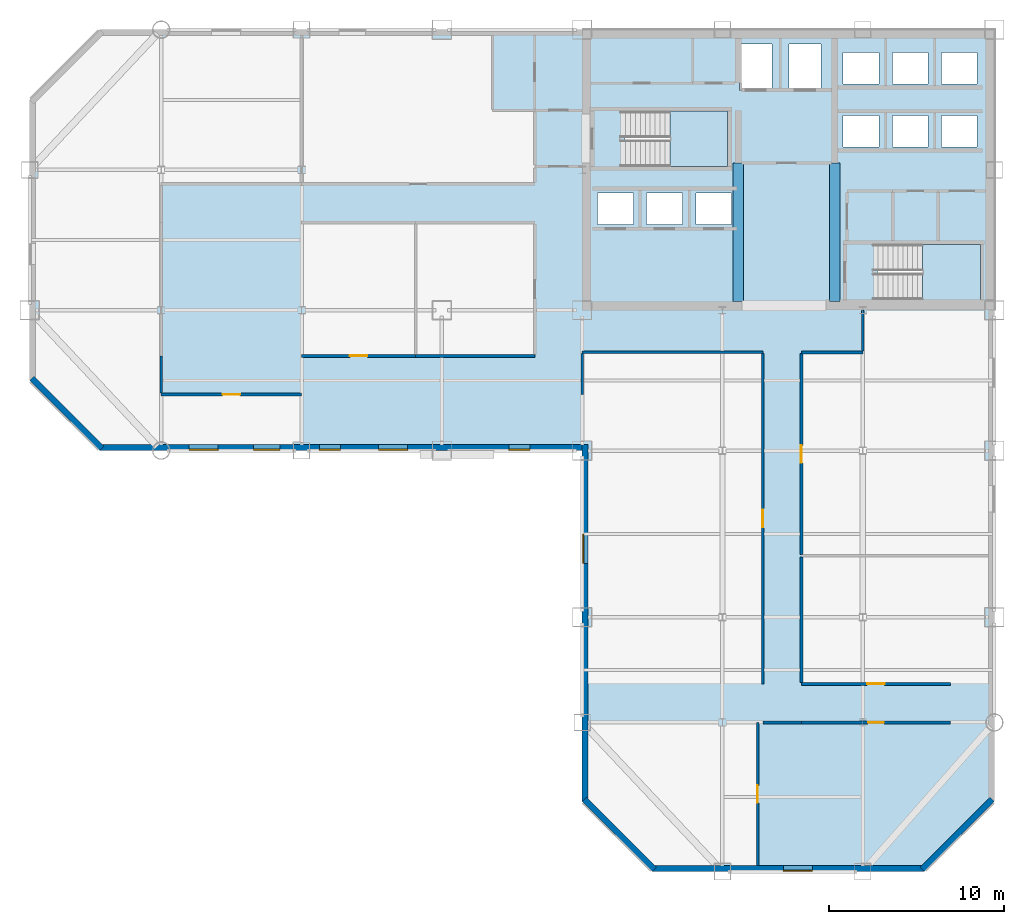
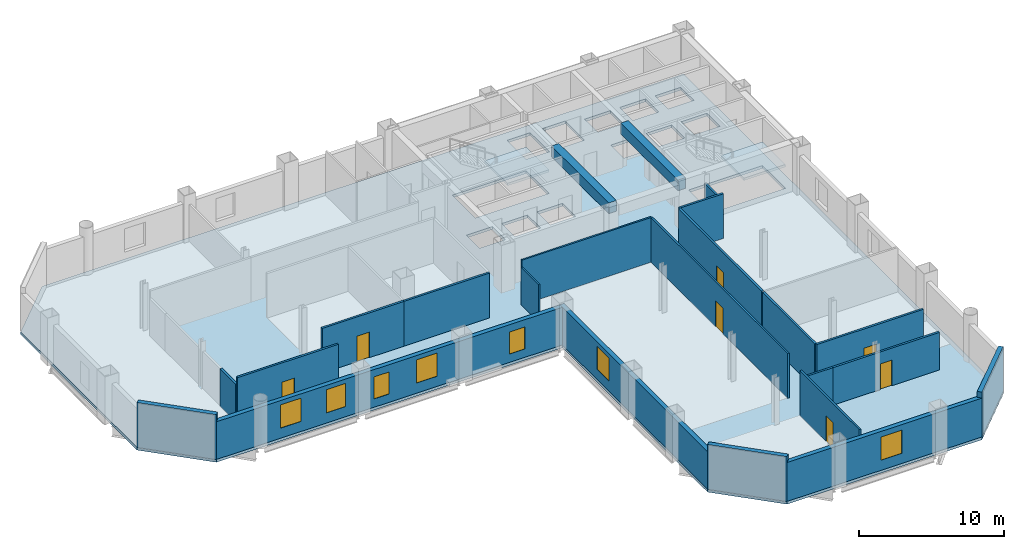
# One storey, part 5 of 9: 21 walls, 7 doors, 7 windows, 3 slabs, 2 beams, 14 openings, 2 elements without a shape of their own.
"""IFC4 building model written with IfcOpenShell, lengths in metres."""

from ifc_helpers import new_model, si_unit, direction, frame, frame_2d, origin, origin_2d, place, context, subcontext, project, spatial, polyline, rectangle, outline, extrude, material, layer, layer_set, material_profile, profile_set, type_object, element, fill, aggregate, save


model = new_model("IFC4")

# Units and contexts
model_context = context("Model", 3, precision=1e-05, world=origin(), true_north=direction((0.0, 1.0)))
body_context = subcontext(model_context, "Body", "Model", "MODEL_VIEW")
ifc_project = project(units=[si_unit("LENGTHUNIT", "METRE"), si_unit("AREAUNIT", "SQUARE_METRE"), si_unit("VOLUMEUNIT", "CUBIC_METRE"), si_unit("PLANEANGLEUNIT", "RADIAN"), si_unit("MASSUNIT", "GRAM", prefix="KILO")], contexts=[model_context])

# Site, building, storey
site_placement = place(None, origin())
site = spatial("IfcSite", under=ifc_project, at=site_placement, CompositionType="ELEMENT")
building_placement = place(site_placement, origin())
building = spatial("IfcBuilding", under=site, at=building_placement, Name="Qianrong Seaharbour Tower", CompositionType="ELEMENT")
storey_placement = place(building_placement, frame((0.0, 0.0, 143.0)))
storey = spatial("IfcBuildingStorey", under=building, at=storey_placement, Name="L34", CompositionType="ELEMENT", Elevation=143.0)

# Beams
ifc_material_1 = material(Name="Concrete C70/85", Category="concrete")
ifc_material_profile = material_profile(ifc_material_1, rectangle(XDim=0.60009765625, YDim=0.89990234375, at=origin_2d()), Name="RC600x900")
ifc_profile_set = profile_set([ifc_material_profile], Name="Concrete C70/85")
beam_type = type_object("IfcBeamType", Name="BM-LINTEL-900", PredefinedType="LINTEL", material=ifc_profile_set)
for number, where, z_axis, x_axis, name in (
    (1, (49.39990234375, 36.5, 3.31494140625), (0.0, 1.0, 0.0), (-1.0, 0.0, 0.0), "L34 Internal Core Coupling Beam IW1"),
    (2, (54.89990234375, 36.5, 3.31494140625), (0.0, 1.0, 0.0), (-1.0, 0.0, 0.0), "L34 Internal Core Coupling Beam IW2"),
):
    element("IfcBeam", number, at=place(storey_placement, frame(where, z_axis=z_axis, x_axis=x_axis)), inside=storey, type_object=beam_type, Name=name, PredefinedType="LINTEL", context=body_context, shape_type="SweptSolid", body=[
        extrude(rectangle(XDim=0.60009765625, YDim=0.89990234375, at=origin_2d()), origin(), (0.0, 0.0, 1.0), 7.89990234375),
    ])

# Stair, slab
ifc_material_2 = material(Name="Concrete C50/60", Category="concrete")
stair_type = type_object("IfcStairType", Name="STAIR-DOGLEG-1500-R22", PredefinedType="HALF_TURN_STAIR", material=ifc_material_2)
stair_1_placement = place(storey_placement, origin())
stair_1 = element("IfcStair", 3, at=stair_1_placement, inside=storey, type_object=stair_type, Name="L34 Protected Escape Stair ST-1", PredefinedType="HALF_TURN_STAIR")
ifc_layer_1 = layer(ifc_material_2, 0.199951171875)
ifc_layer_set_1 = layer_set([ifc_layer_1], Name="Concrete C50/60")
slab_type_1 = type_object("IfcSlabType", Name="SLAB-STAIR-LANDING-200", PredefinedType="LANDING", material=ifc_layer_set_1)
slab_1_placement = place(storey_placement, frame((0.0, 0.0, 1.800048828125)))
slab_1 = element("IfcSlab", 4, at=slab_1_placement, type_object=slab_type_1, Name="ST-1 landing 1", PredefinedType="LANDING", context=body_context, shape_type="SweptSolid", body=[
    extrude(outline(polyline([(45.5, 44.199951171875), (48.800048828125, 44.199951171875), (48.800048828125, 47.35009765625), (45.5, 47.35009765625), (45.5, 44.199951171875)])), origin(), (0.0, 0.0, 1.0), 0.199951171875),
])
aggregate(stair_1, [slab_1])

stair_2_placement = place(storey_placement, origin())
stair_2 = element("IfcStair", 5, at=stair_2_placement, inside=storey, type_object=stair_type, Name="L34 Protected Escape Stair ST-2", PredefinedType="HALF_TURN_STAIR")
slab_2_placement = place(storey_placement, frame((0.0, 0.0, 1.800048828125)))
slab_2 = element("IfcSlab", 6, at=slab_2_placement, type_object=slab_type_1, Name="ST-2 landing 1", PredefinedType="LANDING", context=body_context, shape_type="SweptSolid", body=[
    extrude(outline(polyline([(59.89990234375, 36.60009765625), (63.199951171875, 36.60009765625), (63.199951171875, 39.75), (59.89990234375, 39.75), (59.89990234375, 36.60009765625)])), origin(), (0.0, 0.0, 1.0), 0.199951171875),
])
aggregate(stair_2, [slab_2])

# Slab
ifc_layer_2 = layer(ifc_material_2, 0.235107421875)
ifc_layer_set_2 = layer_set([ifc_layer_2], Name="Concrete C50/60")
slab_type_2 = type_object("IfcSlabType", Name="SLAB-Z2-235", PredefinedType="FLOOR", material=ifc_layer_set_2)
slab_3_placement = place(storey_placement, frame((0.0, 0.0, -0.235107421875)))
element("IfcSlab", 7, at=slab_3_placement, inside=storey, type_object=slab_type_2, Name="L34 Structural Floor Slab", PredefinedType="FLOOR", context=body_context, shape_type="SweptSolid", body=[
    extrude(outline(polyline([(44.5, 4.0), (60.0, 4.0), (64.0, 8.0), (64.0, 52.0), (13.0, 52.0), (9.0, 48.0), (9.0, 32.0), (13.0, 28.0), (40.5, 28.0), (40.5, 8.0), (44.5, 4.0)]), holes=[polyline([(42.93994140625, 44.199951171875), (42.93994140625, 47.35009765625), (48.800048828125, 47.35009765625), (48.800048828125, 44.199951171875), (42.93994140625, 44.199951171875)]), polyline([(57.340087890625, 36.60009765625), (57.340087890625, 39.75), (63.199951171875, 39.75), (63.199951171875, 36.60009765625), (57.340087890625, 36.60009765625)]), polyline([(49.47998046875, 48.530029296875), (49.47998046875, 51.169921875), (51.320068359375, 51.169921875), (51.320068359375, 48.530029296875), (49.47998046875, 48.530029296875)]), polyline([(52.280029296875, 48.530029296875), (52.280029296875, 51.169921875), (54.1201171875, 51.169921875), (54.1201171875, 48.530029296875), (52.280029296875, 48.530029296875)]), polyline([(41.3798828125, 40.89990234375), (41.3798828125, 42.699951171875), (43.419921875, 42.699951171875), (43.419921875, 40.89990234375), (41.3798828125, 40.89990234375)]), polyline([(44.179931640625, 40.89990234375), (44.179931640625, 42.699951171875), (46.219970703125, 42.699951171875), (46.219970703125, 40.89990234375), (44.179931640625, 40.89990234375)]), polyline([(46.97998046875, 40.89990234375), (46.97998046875, 42.699951171875), (49.02001953125, 42.699951171875), (49.02001953125, 40.89990234375), (46.97998046875, 40.89990234375)]), polyline([(55.3798828125, 45.300048828125), (55.3798828125, 47.10009765625), (57.419921875, 47.10009765625), (57.419921875, 45.300048828125), (55.3798828125, 45.300048828125)]), polyline([(58.179931640625, 45.300048828125), (58.179931640625, 47.10009765625), (60.219970703125, 47.10009765625), (60.219970703125, 45.300048828125), (58.179931640625, 45.300048828125)]), polyline([(60.97998046875, 45.300048828125), (60.97998046875, 47.10009765625), (63.02001953125, 47.10009765625), (63.02001953125, 45.300048828125), (60.97998046875, 45.300048828125)]), polyline([(55.3798828125, 48.89990234375), (55.3798828125, 50.699951171875), (57.419921875, 50.699951171875), (57.419921875, 48.89990234375), (55.3798828125, 48.89990234375)]), polyline([(58.179931640625, 48.89990234375), (58.179931640625, 50.699951171875), (60.219970703125, 50.699951171875), (60.219970703125, 48.89990234375), (58.179931640625, 48.89990234375)]), polyline([(60.97998046875, 48.89990234375), (60.97998046875, 50.699951171875), (63.02001953125, 50.699951171875), (63.02001953125, 48.89990234375), (60.97998046875, 48.89990234375)])]), origin(), (0.0, 0.0, 1.0), 0.235107421875),
])

# Wall, opening, door
ifc_material_3 = material(Name="Fire-rated acoustic gypsum board partition")
ifc_layer_3 = layer(ifc_material_3, 0.1650390625)
ifc_layer_set_3 = layer_set([ifc_layer_3], Name="Fire-rated acoustic gypsum board partition")
wall_type_1 = type_object("IfcWallType", Name="WALL-CORR-PART-165", PredefinedType="PARTITIONING", material=ifc_layer_set_3)
wall_1_placement = place(storey_placement, frame((24.5, 31.199951171875, 0.0), z_axis=(0.0, 0.0, 1.0), x_axis=(-1.0, 0.0, 0.0)))
wall_1 = element("IfcWall", 8, at=wall_1_placement, inside=storey, type_object=wall_type_1, Name="L34 Interior Partition Wall 017", PredefinedType="PARTITIONING", context=body_context, shape_type="SweptSolid", body=[
    extrude(rectangle(XDim=8.0, YDim=0.1650390625, at=frame_2d((4.0, 0.0))), origin(), (0.0, 0.0, 1.0), 3.764892578125),
])
opening_1_placement = place(wall_1_placement, frame((3.5, 0.0, 0.0)))
opening_1 = element("IfcOpeningElement", 9, at=opening_1_placement, cuts=wall_1, Name="Opening DO-01", PredefinedType="OPENING", context=body_context, shape_type="SweptSolid", body=[
    extrude(rectangle(XDim=1.0, YDim=2.14990234375, at=frame_2d((0.5, 1.074951171875))), frame((0.0, 0.092529296875, 0.0), z_axis=(0.0, -1.0, 0.0), x_axis=(1.0, 0.0, 0.0)), (0.0, 0.0, 1.0), 0.18505859375),
])
ifc_material_4 = material(Name="Acoustic timber and galvanized steel fire door assembly", Category="steel")
door_type_1 = type_object("IfcDoorType", Name="DOOR-OFFICE-1000x2150", OperationType="NOTDEFINED", PredefinedType="DOOR", material=ifc_material_4)
door_1_placement = place(opening_1_placement, origin())
door_1 = element("IfcDoor", 10, at=door_1_placement, inside=storey, type_object=door_type_1, Name="L34 West Harbour Open-Plan Office Door", OperationType="SINGLE_SWING_RIGHT", OverallHeight=2.14990234375, OverallWidth=1.0, PredefinedType="DOOR", context=body_context, shape_type="SweptSolid", body=[
    extrude(rectangle(XDim=1.0, YDim=2.14990234375, at=frame_2d((0.5, 1.074951171875))), frame((0.0, 0.02490234375, 0.0), z_axis=(0.0, -1.0, 0.0), x_axis=(1.0, 0.0, 0.0)), (0.0, 0.0, 1.0), 0.050048828125),
])
fill(opening_1, door_1)

# Wall
wall_2_placement = place(storey_placement, frame((16.5, 31.2744140625, 0.0), z_axis=(0.0, 0.0, 1.0), x_axis=(0.0, 1.0, 0.0)))
element("IfcWall", 11, at=wall_2_placement, inside=storey, type_object=wall_type_1, Name="L34 Interior Partition Wall 018", PredefinedType="PARTITIONING", context=body_context, shape_type="SweptSolid", body=[
    extrude(rectangle(XDim=2.12548828125, YDim=0.1650390625, at=frame_2d((1.062744140625, 0.0))), origin(), (0.0, 0.0, 1.0), 3.156982421875),
])

# Wall, opening, door
wall_3_placement = place(storey_placement, frame((24.5, 33.39990234375, 0.0), z_axis=(0.0, 0.0, 1.0), x_axis=(1.0, 0.0, 0.0)))
wall_3 = element("IfcWall", 12, at=wall_3_placement, inside=storey, type_object=wall_type_1, Name="L34 Interior Partition Wall 019", PredefinedType="PARTITIONING", context=body_context, shape_type="SweptSolid", body=[
    extrude(rectangle(XDim=6.5, YDim=0.1650390625, at=frame_2d((3.25, 0.0))), origin(), (0.0, 0.0, 1.0), 3.764892578125),
])
opening_2_placement = place(wall_3_placement, frame((2.75, 0.0, 0.0)))
opening_2 = element("IfcOpeningElement", 13, at=opening_2_placement, cuts=wall_3, Name="Opening DO-01", PredefinedType="OPENING", context=body_context, shape_type="SweptSolid", body=[
    extrude(rectangle(XDim=1.0, YDim=2.14990234375, at=frame_2d((0.5, 1.074951171875))), frame((0.0, 0.092529296875, 0.0), z_axis=(0.0, -1.0, 0.0), x_axis=(1.0, 0.0, 0.0)), (0.0, 0.0, 1.0), 0.18505859375),
])
door_2_placement = place(opening_2_placement, origin())
door_2 = element("IfcDoor", 14, at=door_2_placement, inside=storey, type_object=door_type_1, Name="L34 Project Library 1 Door", OperationType="SINGLE_SWING_RIGHT", OverallHeight=2.14990234375, OverallWidth=1.0, PredefinedType="DOOR", context=body_context, shape_type="SweptSolid", body=[
    extrude(rectangle(XDim=1.0, YDim=2.14990234375, at=frame_2d((0.5, 1.074951171875))), frame((0.0, 0.02490234375, 0.0), z_axis=(0.0, -1.0, 0.0), x_axis=(1.0, 0.0, 0.0)), (0.0, 0.0, 1.0), 0.050048828125),
])
fill(opening_2, door_2)

# Walls
wall_4_placement = place(storey_placement, frame((31.0, 33.39990234375, 0.0), z_axis=(0.0, 0.0, 1.0), x_axis=(1.0, 0.0, 0.0)))
element("IfcWall", 15, at=wall_4_placement, inside=storey, type_object=wall_type_1, Name="L34 Interior Partition Wall 020", PredefinedType="PARTITIONING", context=body_context, shape_type="SweptSolid", body=[
    extrude(rectangle(XDim=6.800048828125, YDim=0.1650390625, at=frame_2d((3.39990234375, 0.0))), origin(), (0.0, 0.0, 1.0), 3.764892578125),
])
wall_5_placement = place(storey_placement, frame((56.5, 36.0, 0.0), z_axis=(0.0, 0.0, 1.0), x_axis=(0.0, -1.0, 0.0)))
element("IfcWall", 16, at=wall_5_placement, inside=storey, type_object=wall_type_1, Name="L34 Interior Partition Wall 030", PredefinedType="PARTITIONING", context=body_context, shape_type="SweptSolid", body=[
    extrude(rectangle(XDim=2.325439453125, YDim=0.1650390625, at=frame_2d((1.16259765625, 0.0))), origin(), (0.0, 0.0, 1.0), 3.156982421875),
])
wall_6_placement = place(storey_placement, frame((56.5, 33.60009765625, 0.0), z_axis=(0.0, 0.0, 1.0), x_axis=(-1.0, 0.0, 0.0)))
element("IfcWall", 17, at=wall_6_placement, inside=storey, type_object=wall_type_1, Name="L34 Interior Partition Wall 031", PredefinedType="PARTITIONING", context=body_context, shape_type="SweptSolid", body=[
    extrude(rectangle(XDim=3.5, YDim=0.1650390625, at=frame_2d((1.75, 0.0))), origin(), (0.0, 0.0, 1.0), 3.764892578125),
])

# Wall, opening, door
wall_7_placement = place(storey_placement, frame((53.0, 33.525390625, 0.0), z_axis=(0.0, 0.0, 1.0), x_axis=(0.0, -1.0, 0.0)))
wall_7 = element("IfcWall", 18, at=wall_7_placement, inside=storey, type_object=wall_type_1, Name="L34 Interior Partition Wall 033", PredefinedType="PARTITIONING", context=body_context, shape_type="SweptSolid", body=[
    extrude(rectangle(XDim=11.4609375, YDim=0.1650390625, at=frame_2d((5.73046875, 0.0))), origin(), (0.0, 0.0, 1.0), 3.764892578125),
])
opening_3_placement = place(wall_7_placement, frame((5.23046875, 0.0, 0.0)))
opening_3 = element("IfcOpeningElement", 19, at=opening_3_placement, cuts=wall_7, Name="Opening DO-01", PredefinedType="OPENING", context=body_context, shape_type="SweptSolid", body=[
    extrude(rectangle(XDim=1.0, YDim=2.14990234375, at=frame_2d((0.5, 1.074951171875))), frame((0.0, 0.092529296875, 0.0), z_axis=(0.0, -1.0, 0.0), x_axis=(1.0, 0.0, 0.0)), (0.0, 0.0, 1.0), 0.18505859375),
])
door_3_placement = place(opening_3_placement, origin())
door_3 = element("IfcDoor", 20, at=door_3_placement, inside=storey, type_object=door_type_1, Name="L34 Staff Club Assembly Hall Door", OperationType="SINGLE_SWING_RIGHT", OverallHeight=2.14990234375, OverallWidth=1.0, PredefinedType="DOOR", context=body_context, shape_type="SweptSolid", body=[
    extrude(rectangle(XDim=1.0, YDim=2.14990234375, at=frame_2d((0.5, 1.074951171875))), frame((0.0, 0.02490234375, 0.0), z_axis=(0.0, -1.0, 0.0), x_axis=(1.0, 0.0, 0.0)), (0.0, 0.0, 1.0), 0.050048828125),
])
fill(opening_3, door_3)

# Walls
wall_8_placement = place(storey_placement, frame((53.0, 21.935546875, 0.0), z_axis=(0.0, 0.0, 1.0), x_axis=(0.0, -1.0, 0.0)))
element("IfcWall", 21, at=wall_8_placement, inside=storey, type_object=wall_type_1, Name="L34 Interior Partition Wall 034", PredefinedType="PARTITIONING", context=body_context, shape_type="SweptSolid", body=[
    extrude(rectangle(XDim=7.1611328125, YDim=0.1650390625, at=frame_2d((3.58056640625, 0.0))), origin(), (0.0, 0.0, 1.0), 3.764892578125),
])
wall_9_placement = place(storey_placement, frame((53.0, 12.5, 0.0), z_axis=(0.0, 0.0, 1.0), x_axis=(-1.0, 0.0, 0.0)))
element("IfcWall", 22, at=wall_9_placement, inside=storey, type_object=wall_type_1, Name="L34 Interior Partition Wall 036", PredefinedType="PARTITIONING", context=body_context, shape_type="SweptSolid", body=[
    extrude(rectangle(XDim=2.199951171875, YDim=0.1650390625, at=frame_2d((1.10009765625, 0.0))), origin(), (0.0, 0.0, 1.0), 3.156982421875),
])

# Wall, opening, door
wall_10_placement = place(storey_placement, frame((53.0, 14.699951171875, 0.0), z_axis=(0.0, 0.0, 1.0), x_axis=(1.0, 0.0, 0.0)))
wall_10 = element("IfcWall", 23, at=wall_10_placement, inside=storey, type_object=wall_type_1, Name="L34 Interior Partition Wall 037", PredefinedType="PARTITIONING", context=body_context, shape_type="SweptSolid", body=[
    extrude(rectangle(XDim=8.5, YDim=0.1650390625, at=frame_2d((4.25, 0.0))), origin(), (0.0, 0.0, 1.0), 3.764892578125),
])
opening_4_placement = place(wall_10_placement, frame((3.75, 0.0, 0.0)))
opening_4 = element("IfcOpeningElement", 24, at=opening_4_placement, cuts=wall_10, Name="Opening DO-01", PredefinedType="OPENING", context=body_context, shape_type="SweptSolid", body=[
    extrude(rectangle(XDim=1.0, YDim=2.14990234375, at=frame_2d((0.5, 1.074951171875))), frame((0.0, 0.092529296875, 0.0), z_axis=(0.0, -1.0, 0.0), x_axis=(1.0, 0.0, 0.0)), (0.0, 0.0, 1.0), 0.18505859375),
])
door_4_placement = place(opening_4_placement, origin())
door_4 = element("IfcDoor", 25, at=door_4_placement, inside=storey, type_object=door_type_1, Name="L34 Focus Room 1 Door", OperationType="SINGLE_SWING_LEFT", OverallHeight=2.14990234375, OverallWidth=1.0, PredefinedType="DOOR", context=body_context, shape_type="SweptSolid", body=[
    extrude(rectangle(XDim=1.0, YDim=2.14990234375, at=frame_2d((0.5, 1.074951171875))), frame((0.0, 0.02490234375, 0.0), z_axis=(0.0, -1.0, 0.0), x_axis=(1.0, 0.0, 0.0)), (0.0, 0.0, 1.0), 0.050048828125),
])
fill(opening_4, door_4)

wall_11_placement = place(storey_placement, frame((61.5, 12.5, 0.0), z_axis=(0.0, 0.0, 1.0), x_axis=(-1.0, 0.0, 0.0)))
wall_11 = element("IfcWall", 26, at=wall_11_placement, inside=storey, type_object=wall_type_1, Name="L34 Interior Partition Wall 038", PredefinedType="PARTITIONING", context=body_context, shape_type="SweptSolid", body=[
    extrude(rectangle(XDim=8.5, YDim=0.1650390625, at=frame_2d((4.25, 0.0))), origin(), (0.0, 0.0, 1.0), 3.156982421875),
])
opening_5_placement = place(wall_11_placement, frame((3.800048828125, 0.0, 0.0)))
opening_5 = element("IfcOpeningElement", 27, at=opening_5_placement, cuts=wall_11, Name="Opening DS-01", PredefinedType="OPENING", context=body_context, shape_type="SweptSolid", body=[
    extrude(rectangle(XDim=0.89990234375, YDim=2.14990234375, at=frame_2d((0.449951171875, 1.074951171875))), frame((0.0, 0.092529296875, 0.0), z_axis=(0.0, -1.0, 0.0), x_axis=(1.0, 0.0, 0.0)), (0.0, 0.0, 1.0), 0.18505859375),
])
door_type_2 = type_object("IfcDoorType", Name="DOOR-STORE-900x2150", OperationType="NOTDEFINED", PredefinedType="DOOR", material=ifc_material_4)
door_5_placement = place(opening_5_placement, origin())
door_5 = element("IfcDoor", 28, at=door_5_placement, inside=storey, type_object=door_type_2, Name="L34 Corporate Archive Room 2 Door", OperationType="SINGLE_SWING_RIGHT", OverallHeight=2.14990234375, OverallWidth=0.89990234375, PredefinedType="DOOR", context=body_context, shape_type="SweptSolid", body=[
    extrude(rectangle(XDim=0.89990234375, YDim=2.14990234375, at=frame_2d((0.449951171875, 1.074951171875))), frame((0.0, 0.02490234375, 0.0), z_axis=(0.0, -1.0, 0.0), x_axis=(1.0, 0.0, 0.0)), (0.0, 0.0, 1.0), 0.050048828125),
])
fill(opening_5, door_5)

# Wall, opening, window
ifc_material_5 = material(Name="Unitised buff brick on Precast concrete C45/55", Category="masonry")
ifc_layer_4 = layer(ifc_material_5, 0.340087890625)
ifc_layer_set_4 = layer_set([ifc_layer_4], Name="Unitised buff brick on Precast concrete C45/55")
wall_type_2 = type_object("IfcWallType", Name="WALL-EXT-BRICK-BUFF-340", PredefinedType="SOLIDWALL", material=ifc_layer_set_4)
wall_12_placement = place(storey_placement, frame((40.669921875, 8.0, 0.0), z_axis=(0.0, 0.0, 1.0), x_axis=(0.0, 1.0, 0.0)))
wall_12 = element("IfcWall", 29, at=wall_12_placement, inside=storey, type_object=wall_type_2, Name="L34 Exterior Masonry Facade Wall REENTRANT_WEST", PredefinedType="SOLIDWALL", context=body_context, shape_type="SweptSolid", body=[
    extrude(rectangle(XDim=20.340087890625, YDim=0.340087890625, at=frame_2d((10.169921875, 0.0))), origin(), (0.0, 0.0, 1.0), 3.1650390625),
])
opening_6_placement = place(wall_12_placement, frame((13.574951171875, 0.0, 0.85009765625)))
opening_6 = element("IfcOpeningElement", 30, at=opening_6_placement, cuts=wall_12, Name="Opening WN-04", PredefinedType="OPENING", context=body_context, shape_type="SweptSolid", body=[
    extrude(rectangle(XDim=1.64990234375, YDim=1.949951171875, at=frame_2d((0.824951171875, 0.97509765625))), frame((0.0, 0.18017578125, 0.0), z_axis=(0.0, -1.0, 0.0), x_axis=(1.0, 0.0, 0.0)), (0.0, 0.0, 1.0), 0.360107421875),
])
ifc_material_6 = material(Name="Insulated low-e double glazing in thermally broken aluminium 6063-T6 frame", Category="aluminium")
window_type_1 = type_object("IfcWindowType", Name="WIN-PUNCH-1650x1950", PartitioningType="DOUBLE_PANEL_VERTICAL", PredefinedType="WINDOW", material=ifc_material_6)
window_1_placement = place(opening_6_placement, origin())
window_1 = element("IfcWindow", 31, at=window_1_placement, inside=storey, type_object=window_type_1, Name="L34 Deep-Set Punched Window 00.04", OverallHeight=1.949951171875, OverallWidth=1.64990234375, PartitioningType="DOUBLE_PANEL_VERTICAL", PredefinedType="WINDOW", context=body_context, shape_type="SweptSolid", body=[
    extrude(rectangle(XDim=1.64990234375, YDim=1.949951171875, at=frame_2d((0.824951171875, 0.97509765625))), frame((0.0, 0.150146484375, 0.0), z_axis=(0.0, -1.0, 0.0), x_axis=(1.0, 0.0, 0.0)), (0.0, 0.0, 1.0), 0.06005859375),
])
fill(opening_6, window_1)

# Wall, openings, windows
wall_13_placement = place(storey_placement, frame((40.52001953125, 28.169921875, 0.0), z_axis=(0.0, 0.0, 1.0), x_axis=(-1.0, 0.0, 0.0)))
wall_13 = element("IfcWall", 32, at=wall_13_placement, inside=storey, type_object=wall_type_2, Name="L34 Exterior Masonry Facade Wall HARBOUR_RIBBON", PredefinedType="SOLIDWALL", context=body_context, shape_type="SweptSolid", body=[
    extrude(rectangle(XDim=27.52001953125, YDim=0.340087890625, at=frame_2d((13.760009765625, 0.0))), origin(), (0.0, 0.0, 1.0), 3.1650390625),
])
opening_7_placement = place(wall_13_placement, frame((3.0, 0.0, 0.699951171875)))
opening_7 = element("IfcOpeningElement", 33, at=opening_7_placement, cuts=wall_13, Name="Opening WN-01", PredefinedType="OPENING", context=body_context, shape_type="SweptSolid", body=[
    extrude(rectangle(XDim=1.199951171875, YDim=1.85009765625, at=frame_2d((0.60009765625, 0.925048828125))), frame((0.0, 0.18017578125, 0.0), z_axis=(0.0, -1.0, 0.0), x_axis=(1.0, 0.0, 0.0)), (0.0, 0.0, 1.0), 0.360107421875),
])
opening_8_placement = place(wall_13_placement, frame((9.97509765625, 0.0, 0.85009765625)))
opening_8 = element("IfcOpeningElement", 34, at=opening_8_placement, cuts=wall_13, Name="Opening WN-04", PredefinedType="OPENING", context=body_context, shape_type="SweptSolid", body=[
    extrude(rectangle(XDim=1.64990234375, YDim=1.949951171875, at=frame_2d((0.824951171875, 0.97509765625))), frame((0.0, 0.18017578125, 0.0), z_axis=(0.0, -1.0, 0.0), x_axis=(1.0, 0.0, 0.0)), (0.0, 0.0, 1.0), 0.360107421875),
])
opening_9_placement = place(wall_13_placement, frame((13.800048828125, 0.0, 0.699951171875)))
opening_9 = element("IfcOpeningElement", 35, at=opening_9_placement, cuts=wall_13, Name="Opening WN-01", PredefinedType="OPENING", context=body_context, shape_type="SweptSolid", body=[
    extrude(rectangle(XDim=1.199951171875, YDim=1.85009765625, at=frame_2d((0.60009765625, 0.925048828125))), frame((0.0, 0.18017578125, 0.0), z_axis=(0.0, -1.0, 0.0), x_axis=(1.0, 0.0, 0.0)), (0.0, 0.0, 1.0), 0.360107421875),
])
opening_10_placement = place(wall_13_placement, frame((17.25, 0.0, 0.85009765625)))
opening_10 = element("IfcOpeningElement", 36, at=opening_10_placement, cuts=wall_13, Name="Opening WN-03", PredefinedType="OPENING", context=body_context, shape_type="SweptSolid", body=[
    extrude(rectangle(XDim=1.5, YDim=1.949951171875, at=frame_2d((0.75, 0.97509765625))), frame((0.0, 0.18017578125, 0.0), z_axis=(0.0, -1.0, 0.0), x_axis=(1.0, 0.0, 0.0)), (0.0, 0.0, 1.0), 0.360107421875),
])
opening_11_placement = place(wall_13_placement, frame((20.77490234375, 0.0, 0.85009765625)))
opening_11 = element("IfcOpeningElement", 37, at=opening_11_placement, cuts=wall_13, Name="Opening WN-04", PredefinedType="OPENING", context=body_context, shape_type="SweptSolid", body=[
    extrude(rectangle(XDim=1.64990234375, YDim=1.949951171875, at=frame_2d((0.824951171875, 0.97509765625))), frame((0.0, 0.18017578125, 0.0), z_axis=(0.0, -1.0, 0.0), x_axis=(1.0, 0.0, 0.0)), (0.0, 0.0, 1.0), 0.360107421875),
])
window_type_2 = type_object("IfcWindowType", Name="WIN-PUNCH-1200x1850", PartitioningType="DOUBLE_PANEL_VERTICAL", PredefinedType="WINDOW", material=ifc_material_6)
window_2_placement = place(opening_7_placement, origin())
window_2 = element("IfcWindow", 38, at=window_2_placement, inside=storey, type_object=window_type_2, Name="L34 Deep-Set Punched Window 01.01", OverallHeight=1.85009765625, OverallWidth=1.199951171875, PartitioningType="DOUBLE_PANEL_VERTICAL", PredefinedType="WINDOW", context=body_context, shape_type="SweptSolid", body=[
    extrude(rectangle(XDim=1.199951171875, YDim=1.85009765625, at=frame_2d((0.60009765625, 0.925048828125))), frame((0.0, 0.150146484375, 0.0), z_axis=(0.0, -1.0, 0.0), x_axis=(1.0, 0.0, 0.0)), (0.0, 0.0, 1.0), 0.06005859375),
])
fill(opening_7, window_2)
window_3_placement = place(opening_9_placement, origin())
window_3 = element("IfcWindow", 39, at=window_3_placement, inside=storey, type_object=window_type_2, Name="L34 Deep-Set Punched Window 01.04", OverallHeight=1.85009765625, OverallWidth=1.199951171875, PartitioningType="DOUBLE_PANEL_VERTICAL", PredefinedType="WINDOW", context=body_context, shape_type="SweptSolid", body=[
    extrude(rectangle(XDim=1.199951171875, YDim=1.85009765625, at=frame_2d((0.60009765625, 0.925048828125))), frame((0.0, 0.150146484375, 0.0), z_axis=(0.0, -1.0, 0.0), x_axis=(1.0, 0.0, 0.0)), (0.0, 0.0, 1.0), 0.06005859375),
])
fill(opening_9, window_3)
window_type_3 = type_object("IfcWindowType", Name="WIN-PUNCH-1500x1950", PartitioningType="DOUBLE_PANEL_VERTICAL", PredefinedType="WINDOW", material=ifc_material_6)
window_4_placement = place(opening_10_placement, origin())
window_4 = element("IfcWindow", 40, at=window_4_placement, inside=storey, type_object=window_type_3, Name="L34 Deep-Set Punched Window 01.05", OverallHeight=1.949951171875, OverallWidth=1.5, PartitioningType="DOUBLE_PANEL_VERTICAL", PredefinedType="WINDOW", context=body_context, shape_type="SweptSolid", body=[
    extrude(rectangle(XDim=1.5, YDim=1.949951171875, at=frame_2d((0.75, 0.97509765625))), frame((0.0, 0.150146484375, 0.0), z_axis=(0.0, -1.0, 0.0), x_axis=(1.0, 0.0, 0.0)), (0.0, 0.0, 1.0), 0.06005859375),
])
fill(opening_10, window_4)
window_5_placement = place(opening_8_placement, origin())
window_5 = element("IfcWindow", 41, at=window_5_placement, inside=storey, type_object=window_type_1, Name="L34 Deep-Set Punched Window 01.03", OverallHeight=1.949951171875, OverallWidth=1.64990234375, PartitioningType="DOUBLE_PANEL_VERTICAL", PredefinedType="WINDOW", context=body_context, shape_type="SweptSolid", body=[
    extrude(rectangle(XDim=1.64990234375, YDim=1.949951171875, at=frame_2d((0.824951171875, 0.97509765625))), frame((0.0, 0.150146484375, 0.0), z_axis=(0.0, -1.0, 0.0), x_axis=(1.0, 0.0, 0.0)), (0.0, 0.0, 1.0), 0.06005859375),
])
fill(opening_8, window_5)
window_6_placement = place(opening_11_placement, origin())
window_6 = element("IfcWindow", 42, at=window_6_placement, inside=storey, type_object=window_type_1, Name="L34 Deep-Set Punched Window 01.06", OverallHeight=1.949951171875, OverallWidth=1.64990234375, PartitioningType="DOUBLE_PANEL_VERTICAL", PredefinedType="WINDOW", context=body_context, shape_type="SweptSolid", body=[
    extrude(rectangle(XDim=1.64990234375, YDim=1.949951171875, at=frame_2d((0.824951171875, 0.97509765625))), frame((0.0, 0.150146484375, 0.0), z_axis=(0.0, -1.0, 0.0), x_axis=(1.0, 0.0, 0.0)), (0.0, 0.0, 1.0), 0.06005859375),
])
fill(opening_11, window_6)

# Walls
for number, where, z_axis, x_axis, name in (
    (43, (13.1201171875, 28.1201171875, 0.0), (0.0, 0.0, 1.0), (-0.707106781187, 0.707106781187, 0.0), "L34 Exterior Masonry Facade Wall E02"),
    (44, (63.8798828125, 8.1201171875, 0.0), (0.0, 0.0, 1.0), (-0.707106781187, -0.707106781187, 0.0), "L34 Exterior Masonry Facade Wall E07"),
):
    element("IfcWall", number, at=place(storey_placement, frame(where, z_axis=z_axis, x_axis=x_axis)), inside=storey, type_object=wall_type_2, Name=name, PredefinedType="SOLIDWALL", context=body_context, shape_type="SweptSolid", body=[
        extrude(rectangle(XDim=5.65673828125, YDim=0.340087890625, at=frame_2d((2.828369140625, 0.0))), origin(), (0.0, 0.0, 1.0), 3.764892578125),
    ])

# Wall, opening, window
wall_14_placement = place(storey_placement, frame((60.0, 4.169921875, 0.0), z_axis=(0.0, 0.0, 1.0), x_axis=(-1.0, 0.0, 0.0)))
wall_14 = element("IfcWall", 45, at=wall_14_placement, inside=storey, type_object=wall_type_2, Name="L34 Exterior Masonry Facade Wall SOUTH_TIP", PredefinedType="SOLIDWALL", context=body_context, shape_type="SweptSolid", body=[
    extrude(rectangle(XDim=15.5, YDim=0.340087890625, at=frame_2d((7.75, 0.0))), origin(), (0.0, 0.0, 1.0), 3.264892578125),
])
opening_12_placement = place(wall_14_placement, frame((6.375, 0.0, 0.85009765625)))
opening_12 = element("IfcOpeningElement", 46, at=opening_12_placement, cuts=wall_14, Name="Opening WN-04", PredefinedType="OPENING", context=body_context, shape_type="SweptSolid", body=[
    extrude(rectangle(XDim=1.64990234375, YDim=1.949951171875, at=frame_2d((0.824951171875, 0.97509765625))), frame((0.0, 0.18017578125, 0.0), z_axis=(0.0, -1.0, 0.0), x_axis=(1.0, 0.0, 0.0)), (0.0, 0.0, 1.0), 0.360107421875),
])
window_7_placement = place(opening_12_placement, origin())
window_7 = element("IfcWindow", 47, at=window_7_placement, inside=storey, type_object=window_type_1, Name="L34 Deep-Set Punched Window 08.02", OverallHeight=1.949951171875, OverallWidth=1.64990234375, PartitioningType="DOUBLE_PANEL_VERTICAL", PredefinedType="WINDOW", context=body_context, shape_type="SweptSolid", body=[
    extrude(rectangle(XDim=1.64990234375, YDim=1.949951171875, at=frame_2d((0.824951171875, 0.97509765625))), frame((0.0, 0.150146484375, 0.0), z_axis=(0.0, -1.0, 0.0), x_axis=(1.0, 0.0, 0.0)), (0.0, 0.0, 1.0), 0.06005859375),
])
fill(opening_12, window_7)

# Wall
wall_15_placement = place(storey_placement, frame((44.6201171875, 4.1201171875, 0.0), z_axis=(0.0, 0.0, 1.0), x_axis=(-0.707106781187, 0.707106781187, 0.0)))
element("IfcWall", 48, at=wall_15_placement, inside=storey, type_object=wall_type_2, Name="L34 Exterior Masonry Facade Wall E09", PredefinedType="SOLIDWALL", context=body_context, shape_type="SweptSolid", body=[
    extrude(rectangle(XDim=5.65673828125, YDim=0.340087890625, at=frame_2d((2.828369140625, 0.0))), origin(), (0.0, 0.0, 1.0), 3.764892578125),
])

# Wall, opening, door
ifc_material_7 = material(Name="Acoustic gypsum board stud partition")
ifc_layer_5 = layer(ifc_material_7, 0.14501953125)
ifc_layer_set_5 = layer_set([ifc_layer_5], Name="Acoustic gypsum board stud partition")
wall_type_3 = type_object("IfcWallType", Name="WALL-OFFICE-PART-145", PredefinedType="PARTITIONING", material=ifc_layer_set_5)
wall_16_placement = place(storey_placement, frame((50.5, 12.5, 0.0), z_axis=(0.0, 0.0, 1.0), x_axis=(0.0, -1.0, 0.0)))
wall_16 = element("IfcWall", 49, at=wall_16_placement, inside=storey, type_object=wall_type_3, Name="L34 Interior Partition Wall 042", PredefinedType="PARTITIONING", context=body_context, shape_type="SweptSolid", body=[
    extrude(rectangle(XDim=8.16796875, YDim=0.14501953125, at=frame_2d((4.083984375, 0.0))), origin(), (0.0, 0.0, 1.0), 3.764892578125),
])
opening_13_placement = place(wall_16_placement, frame((3.583984375, 0.0, 0.0)))
opening_13 = element("IfcOpeningElement", 50, at=opening_13_placement, cuts=wall_16, Name="Opening DO-01", PredefinedType="OPENING", context=body_context, shape_type="SweptSolid", body=[
    extrude(rectangle(XDim=1.0, YDim=2.14990234375, at=frame_2d((0.5, 1.074951171875))), frame((0.0, 0.08251953125, 0.0), z_axis=(0.0, -1.0, 0.0), x_axis=(1.0, 0.0, 0.0)), (0.0, 0.0, 1.0), 0.1650390625),
])
door_6_placement = place(opening_13_placement, origin())
door_6 = element("IfcDoor", 51, at=door_6_placement, inside=storey, type_object=door_type_1, Name="L34 Harbour Symposium Hall 1 Door", OperationType="SINGLE_SWING_LEFT", OverallHeight=2.14990234375, OverallWidth=1.0, PredefinedType="DOOR", context=body_context, shape_type="SweptSolid", body=[
    extrude(rectangle(XDim=1.0, YDim=2.14990234375, at=frame_2d((0.5, 1.074951171875))), frame((0.0, 0.02490234375, 0.0), z_axis=(0.0, -1.0, 0.0), x_axis=(1.0, 0.0, 0.0)), (0.0, 0.0, 1.0), 0.050048828125),
])
fill(opening_13, door_6)

# Walls
ifc_material_8 = material(Name="Water-resistant cement board sanitary partition")
ifc_layer_6 = layer(ifc_material_8, 0.1298828125)
ifc_layer_set_6 = layer_set([ifc_layer_6], Name="Water-resistant cement board sanitary partition")
wall_type_4 = type_object("IfcWallType", Name="WALL-WET-PART-130", PredefinedType="PARTITIONING", material=ifc_layer_set_6)
wall_17_placement = place(storey_placement, frame((40.5, 33.54296875, 0.0), z_axis=(0.0, 0.0, 1.0), x_axis=(0.0, -1.0, 0.0)))
element("IfcWall", 52, at=wall_17_placement, inside=storey, type_object=wall_type_4, Name="L34 Interior Partition Wall 029", PredefinedType="PARTITIONING", context=body_context, shape_type="SweptSolid", body=[
    extrude(rectangle(XDim=2.343017578125, YDim=0.1298828125, at=frame_2d((1.17138671875, 0.0))), origin(), (0.0, 0.0, 1.0), 3.156982421875),
])
wall_18_placement = place(storey_placement, frame((50.800048828125, 33.60009765625, 0.0), z_axis=(0.0, 0.0, 1.0), x_axis=(-1.0, 0.0, 0.0)))
element("IfcWall", 53, at=wall_18_placement, inside=storey, type_object=wall_type_4, Name="L34 Interior Partition Wall 032", PredefinedType="PARTITIONING", context=body_context, shape_type="SweptSolid", body=[
    extrude(rectangle(XDim=10.300048828125, YDim=0.1298828125, at=frame_2d((5.14990234375, 0.0))), origin(), (0.0, 0.0, 1.0), 3.764892578125),
])

# Wall, opening, door
wall_19_placement = place(storey_placement, frame((50.800048828125, 14.699951171875, 0.0), z_axis=(0.0, 0.0, 1.0), x_axis=(0.0, 1.0, 0.0)))
wall_19 = element("IfcWall", 54, at=wall_19_placement, inside=storey, type_object=wall_type_4, Name="L34 Interior Partition Wall 035", PredefinedType="PARTITIONING", context=body_context, shape_type="SweptSolid", body=[
    extrude(rectangle(XDim=18.843017578125, YDim=0.1298828125, at=frame_2d((9.42138671875, 0.0))), origin(), (0.0, 0.0, 1.0), 3.764892578125),
])
opening_14_placement = place(wall_19_placement, frame((8.92138671875, 0.0, 0.0)))
opening_14 = element("IfcOpeningElement", 55, at=opening_14_placement, cuts=wall_19, Name="Opening DO-01", PredefinedType="OPENING", context=body_context, shape_type="SweptSolid", body=[
    extrude(rectangle(XDim=1.0, YDim=2.14990234375, at=frame_2d((0.5, 1.074951171875))), frame((0.0, 0.074951171875, 0.0), z_axis=(0.0, -1.0, 0.0), x_axis=(1.0, 0.0, 0.0)), (0.0, 0.0, 1.0), 0.14990234375),
])
door_7_placement = place(opening_14_placement, origin())
door_7 = element("IfcDoor", 56, at=door_7_placement, inside=storey, type_object=door_type_1, Name="L34 Wet Pantry Door", OperationType="SINGLE_SWING_RIGHT", OverallHeight=2.14990234375, OverallWidth=1.0, PredefinedType="DOOR", context=body_context, shape_type="SweptSolid", body=[
    extrude(rectangle(XDim=1.0, YDim=2.14990234375, at=frame_2d((0.5, 1.074951171875))), frame((0.0, 0.02490234375, 0.0), z_axis=(0.0, -1.0, 0.0), x_axis=(1.0, 0.0, 0.0)), (0.0, 0.0, 1.0), 0.050048828125),
])
fill(opening_14, door_7)

save(model, "model.ifc")
